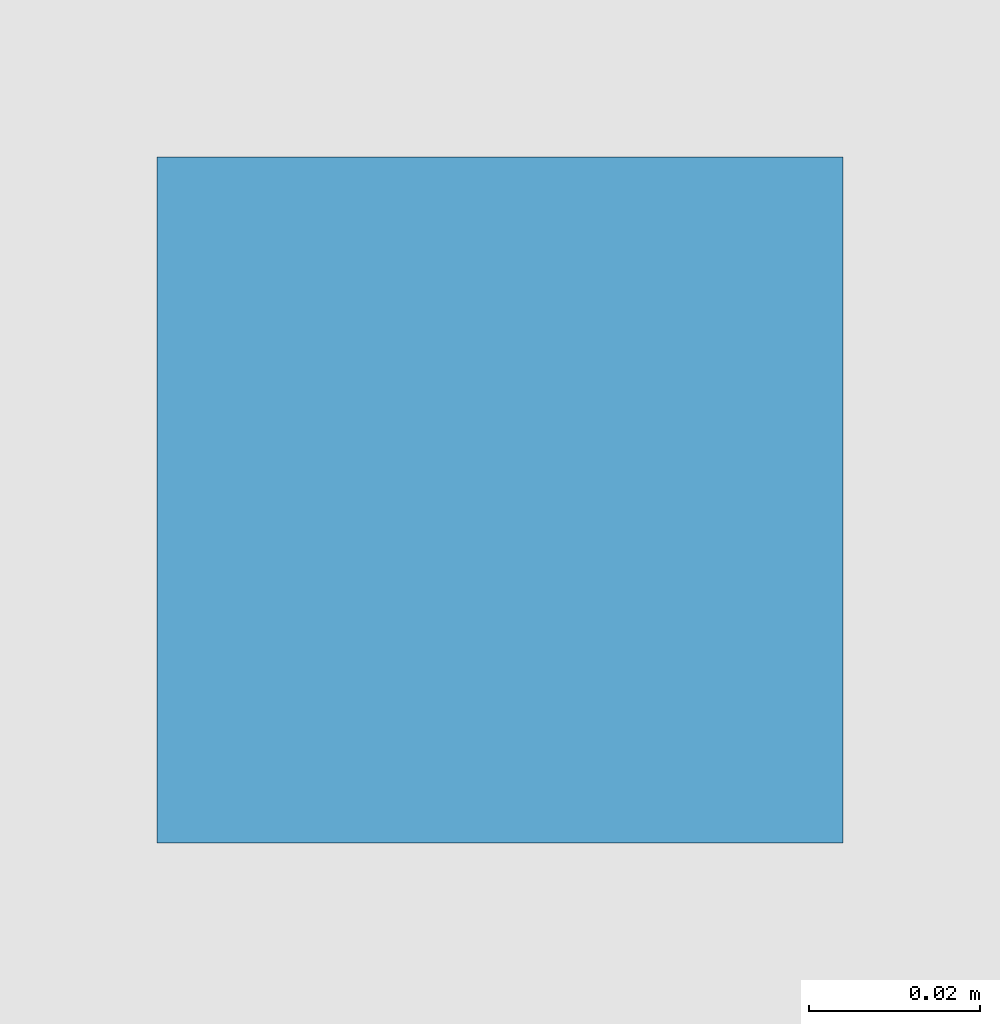
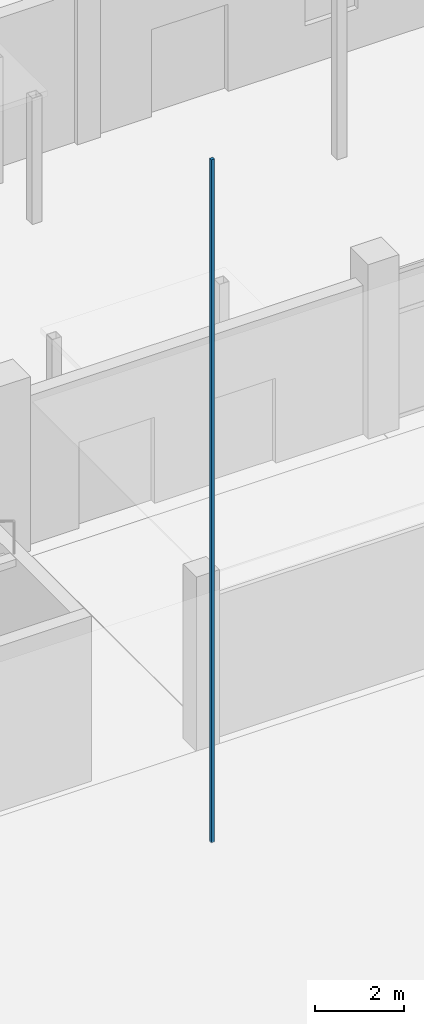
# One storey, part 91 of 116: 1 discrete accessory.
"""IFC4 building model written with IfcOpenShell, lengths in metres."""

from ifc_helpers import new_model, si_unit, direction, frame, origin, origin_2d, place, context, subcontext, project, spatial, rectangle, extrude, material, type_object, element, save


model = new_model("IFC4")

# Units and contexts
model_context = context("Model", 3, precision=1e-05, world=origin(), true_north=direction((0.0, 1.0)))
body_context = subcontext(model_context, "Body", "Model", "MODEL_VIEW")
ifc_project = project(units=[si_unit("LENGTHUNIT", "METRE"), si_unit("AREAUNIT", "SQUARE_METRE"), si_unit("VOLUMEUNIT", "CUBIC_METRE"), si_unit("PLANEANGLEUNIT", "RADIAN"), si_unit("MASSUNIT", "GRAM", prefix="KILO")], contexts=[model_context])

# Site, building, storey
site_placement = place(None, origin())
site = spatial("IfcSite", under=ifc_project, at=site_placement, CompositionType="ELEMENT")
building_placement = place(site_placement, origin())
building = spatial("IfcBuilding", under=site, at=building_placement, Name="Chalmorin Arch Market", CompositionType="ELEMENT")
storey_placement = place(building_placement, origin())
storey = spatial("IfcBuildingStorey", under=building, at=storey_placement, Name="L00", CompositionType="ELEMENT", Elevation=0.0)

# Discrete accessory
ifc_material = material(Name="Galvanized Cold-Formed Steel", Category="steel")
discrete_accessory_type = type_object("IfcDiscreteAccessoryType", Name="CeilingSuspensionBracket-80x80", PredefinedType="BRACKET", material=ifc_material)
discrete_accessory_placement = place(storey_placement, frame((72.0, 41.199951171875, 4.2529296875), z_axis=(0.0, 0.0, 1.0), x_axis=(1.0, 0.0, 0.0)))
element("IfcDiscreteAccessory", 1, at=discrete_accessory_placement, inside=storey, type_object=discrete_accessory_type, Name="CSB-060", PredefinedType="BRACKET", context=body_context, shape_type="SweptSolid", body=[
    extrude(rectangle(XDim=0.080078125, YDim=0.080078125, at=origin_2d()), origin(), (0.0, 0.0, 1.0), 18.806396484375),
])

save(model, "model.ifc")
